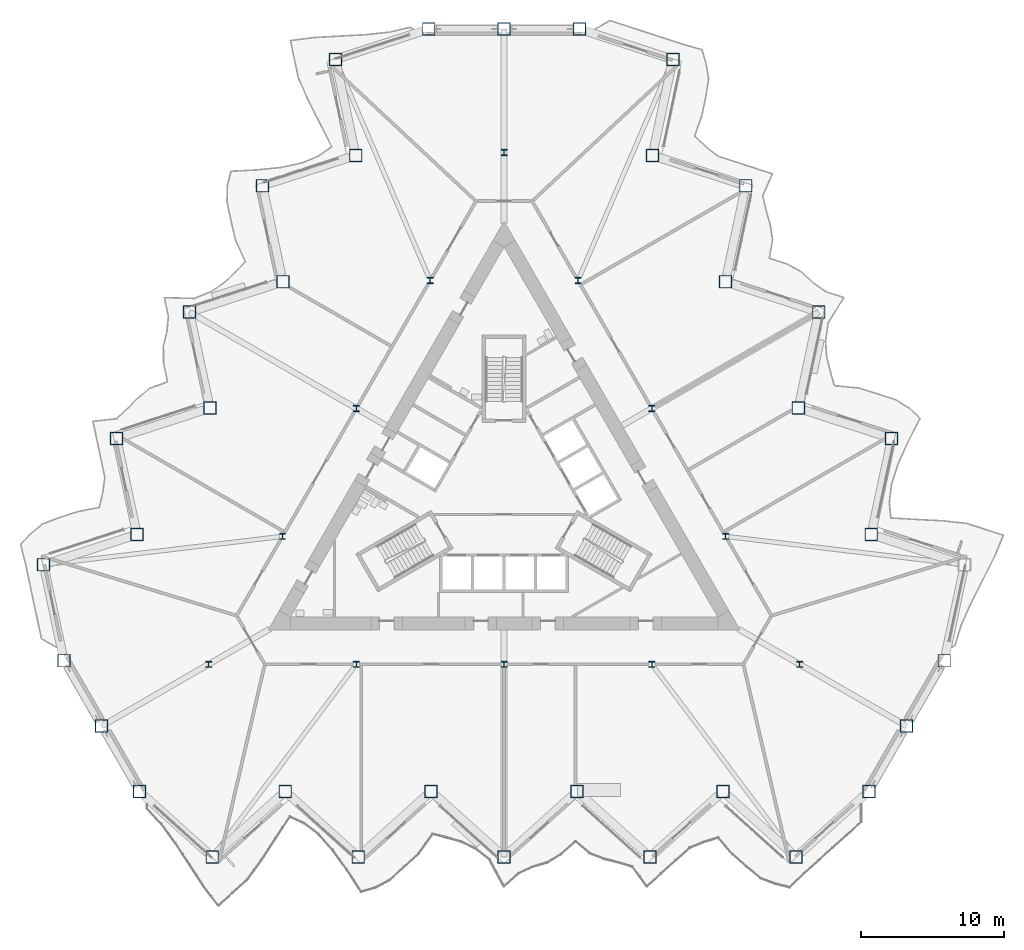
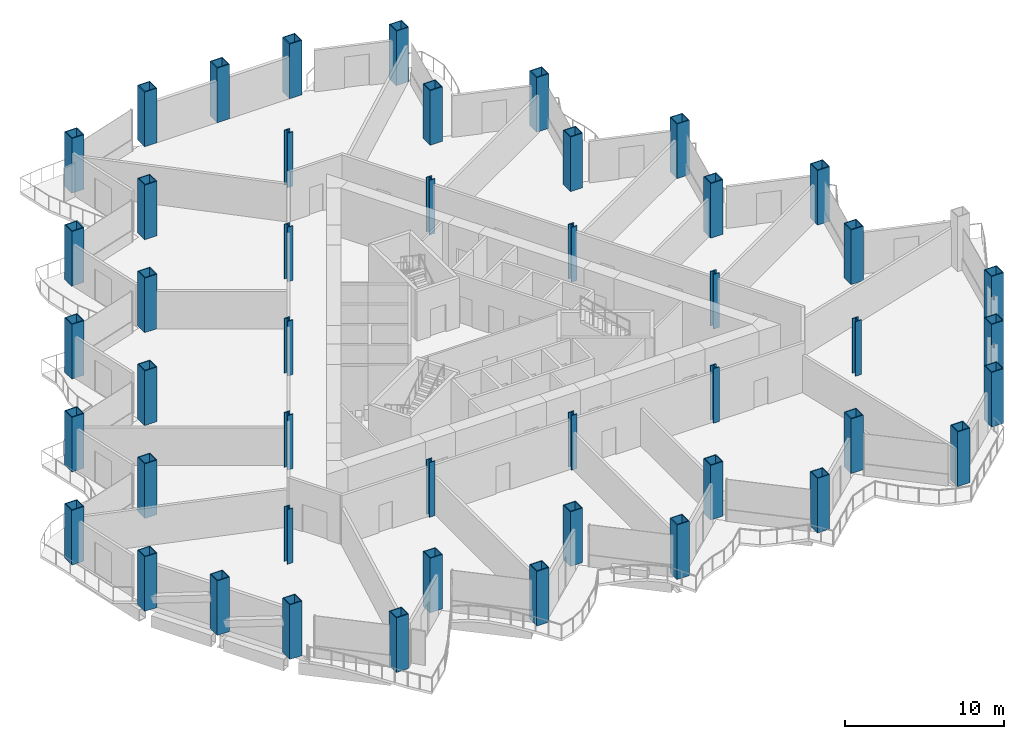
# One storey, part 1 of 21: 47 columns.
"""IFC4 building model written with IfcOpenShell, lengths in metres."""

from ifc_helpers import new_model, si_unit, direction, frame, origin, origin_2d, place, context, subcontext, project, spatial, hollow_rectangle, i_section, extrude, material, material_profile, profile_set, type_object, element, save


model = new_model("IFC4")

# Units and contexts
model_context = context("Model", 3, precision=1e-05, world=origin(), true_north=direction((0.0, 1.0)))
body_context = subcontext(model_context, "Body", "Model", "MODEL_VIEW")
ifc_project = project(units=[si_unit("LENGTHUNIT", "METRE"), si_unit("AREAUNIT", "SQUARE_METRE"), si_unit("VOLUMEUNIT", "CUBIC_METRE"), si_unit("PLANEANGLEUNIT", "RADIAN"), si_unit("MASSUNIT", "GRAM", prefix="KILO")], contexts=[model_context])

# Site, building, storey
site_placement = place(None, origin())
site = spatial("IfcSite", under=ifc_project, at=site_placement, CompositionType="ELEMENT")
building_placement = place(site_placement, origin())
building = spatial("IfcBuilding", under=site, at=building_placement, Name="Cormorant Prow Tower", CompositionType="ELEMENT")
storey_placement = place(building_placement, frame((0.0, 0.0, 99.60009765625)))
storey = spatial("IfcBuildingStorey", under=building, at=storey_placement, Name="L20", CompositionType="ELEMENT", Elevation=99.60009765625)

# Columns
ifc_material_1 = material(Name="Structural steel ASTM A572 Gr 50", Category="steel")
ifc_material_profile_1 = material_profile(ifc_material_1, hollow_rectangle(XDim=0.89990234375, YDim=0.89990234375, WallThickness=0.06005859375, at=origin_2d()), Name="Box 900x900x60")
ifc_profile_set_1 = profile_set([ifc_material_profile_1], Name="Structural steel ASTM A572 Gr 50")
column_type_1 = type_object("IfcColumnType", Name="Perimeter box column 900x900x60", PredefinedType="COLUMN", material=ifc_profile_set_1)
for number, where, z_axis, x_axis, name in (
    (1, (-25.499755859375, -20.80712890625, 0.0), (0.0, 0.0, 1.0), (1.0, 0.0, 0.0), "Perimeter column C3 at S00 L20"),
    (2, (-20.399658203125, -25.399169921875, 0.0), (0.0, 0.0, 1.0), (1.0, 0.0, 0.0), "Perimeter column C3 at S01 L20"),
    (3, (-15.2998046875, -20.80712890625, 0.0), (0.0, 0.0, 1.0), (1.0, 0.0, 0.0), "Perimeter column C3 at S02 L20"),
    (4, (-10.199951171875, -25.399169921875, 0.0), (0.0, 0.0, 1.0), (1.0, 0.0, 0.0), "Perimeter column C3 at S03 L20"),
    (5, (-5.099853515625, -20.80712890625, 0.0), (0.0, 0.0, 1.0), (1.0, 0.0, 0.0), "Perimeter column C3 at S04 L20"),
    (6, (0.0, -25.399169921875, 0.0), (0.0, 0.0, 1.0), (1.0, 0.0, 0.0), "Perimeter column C3 at S05 L20"),
    (7, (5.099853515625, -20.80712890625, 0.0), (0.0, 0.0, 1.0), (1.0, 0.0, 0.0), "Perimeter column C3 at S06 L20"),
    (8, (10.199951171875, -25.399169921875, 0.0), (0.0, 0.0, 1.0), (1.0, 0.0, 0.0), "Perimeter column C3 at S07 L20"),
    (9, (15.2998046875, -20.80712890625, 0.0), (0.0, 0.0, 1.0), (1.0, 0.0, 0.0), "Perimeter column C3 at S08 L20"),
    (10, (20.399658203125, -25.399169921875, 0.0), (0.0, 0.0, 1.0), (1.0, 0.0, 0.0), "Perimeter column C3 at S09 L20"),
    (11, (25.499755859375, -20.80712890625, 0.0), (0.0, 0.0, 1.0), (1.0, 0.0, 0.0), "Perimeter column C3 at ESE00 L20"),
    (12, (28.134521484375, -16.243408203125, 0.0), (0.0, 0.0, 1.0), (1.0, 0.0, 0.0), "Perimeter column C3 at ESE01 L20"),
    (13, (30.769287109375, -11.679931640625, 0.0), (0.0, 0.0, 1.0), (1.0, 0.0, 0.0), "Perimeter column C3 at ENE00 L20"),
    (14, (25.66943359375, -2.846435546875, 0.0), (0.0, 0.0, 1.0), (1.0, 0.0, 0.0), "Perimeter column C3 at ENE02 L20"),
    (15, (27.09619140625, 3.8662109375, 0.0), (0.0, 0.0, 1.0), (1.0, 0.0, 0.0), "Perimeter column C3 at ENE03 L20"),
    (16, (20.569580078125, 5.98681640625, 0.0), (0.0, 0.0, 1.0), (1.0, 0.0, 0.0), "Perimeter column C3 at ENE04 L20"),
    (17, (21.996337890625, 12.699462890625, 0.0), (0.0, 0.0, 1.0), (1.0, 0.0, 0.0), "Perimeter column C3 at ENE05 L20"),
    (18, (15.469482421875, 14.8203125, 0.0), (0.0, 0.0, 1.0), (1.0, 0.0, 0.0), "Perimeter column C3 at ENE06 L20"),
    (19, (16.896240234375, 21.532958984375, 0.0), (0.0, 0.0, 1.0), (1.0, 0.0, 0.0), "Perimeter column C3 at ENE07 L20"),
    (20, (10.36962890625, 23.653564453125, 0.0), (0.0, 0.0, 1.0), (1.0, 0.0, 0.0), "Perimeter column C3 at ENE08 L20"),
    (21, (11.79638671875, 30.3662109375, 0.0), (0.0, 0.0, 1.0), (1.0, 0.0, 0.0), "Perimeter column C3 at ENE09 L20"),
    (22, (5.269775390625, 32.487060546875, 0.0), (0.0, 0.0, 1.0), (1.0, 0.0, 0.0), "Perimeter column C3 at N00 L20"),
    (23, (0.0, 32.487060546875, 0.0), (0.0, 0.0, 1.0), (1.0, 0.0, 0.0), "Perimeter column C3 at N01 L20"),
    (24, (-5.269775390625, 32.487060546875, 0.0), (0.0, 0.0, 1.0), (1.0, 0.0, 0.0), "Perimeter column C3 at WNW00 L20"),
    (25, (-11.79638671875, 30.3662109375, 0.0), (0.0, 0.0, 1.0), (1.0, 0.0, 0.0), "Perimeter column C3 at WNW01 L20"),
    (26, (-10.36962890625, 23.653564453125, 0.0), (0.0, 0.0, 1.0), (1.0, 0.0, 0.0), "Perimeter column C3 at WNW02 L20"),
    (27, (-16.896240234375, 21.532958984375, 0.0), (0.0, 0.0, 1.0), (1.0, 0.0, 0.0), "Perimeter column C3 at WNW03 L20"),
    (28, (-15.469482421875, 14.8203125, 0.0), (0.0, 0.0, 1.0), (1.0, 0.0, 0.0), "Perimeter column C3 at WNW04 L20"),
    (29, (-21.996337890625, 12.699462890625, 0.0), (0.0, 0.0, 1.0), (1.0, 0.0, 0.0), "Perimeter column C3 at WNW05 L20"),
    (30, (-20.569580078125, 5.98681640625, 0.0), (0.0, 0.0, 1.0), (1.0, 0.0, 0.0), "Perimeter column C3 at WNW06 L20"),
    (31, (-27.09619140625, 3.8662109375, 0.0), (0.0, 0.0, 1.0), (1.0, 0.0, 0.0), "Perimeter column C3 at WNW07 L20"),
    (32, (-25.66943359375, -2.846435546875, 0.0), (0.0, 0.0, 1.0), (1.0, 0.0, 0.0), "Perimeter column C3 at WNW08 L20"),
    (33, (-32.1962890625, -4.967041015625, 0.0), (0.0, 0.0, 1.0), (1.0, 0.0, 0.0), "Perimeter column C3 at WNW09 L20"),
    (34, (-30.769287109375, -11.679931640625, 0.0), (0.0, 0.0, 1.0), (1.0, 0.0, 0.0), "Perimeter column C3 at WSW00 L20"),
    (35, (-28.134521484375, -16.243408203125, 0.0), (0.0, 0.0, 1.0), (1.0, 0.0, 0.0), "Perimeter column C3 at WSW01 L20"),
):
    element("IfcColumn", number, at=place(storey_placement, frame(where, z_axis=z_axis, x_axis=x_axis)), inside=storey, type_object=column_type_1, Name=name, PredefinedType="COLUMN", context=body_context, shape_type="SweptSolid", body=[
        extrude(hollow_rectangle(XDim=0.89990234375, YDim=0.89990234375, WallThickness=0.06005859375, at=origin_2d()), origin(), (0.0, 0.0, 1.0), 4.199951171875),
    ])
ifc_material_2 = material(Name="Structural steel ASTM A992 Gr 50", Category="steel")
ifc_material_profile_2 = material_profile(ifc_material_2, i_section(OverallWidth=0.412109375, OverallDepth=0.434814453125, WebThickness=0.035888671875, FlangeThickness=0.057373046875, at=origin_2d()), Name="W14x311")
ifc_profile_set_2 = profile_set([ifc_material_profile_2], Name="Structural steel ASTM A992 Gr 50")
column_type_2 = type_object("IfcColumnType", Name="Ring column W14x311", PredefinedType="COLUMN", material=ifc_profile_set_2)
for number, where, z_axis, x_axis, name in (
    (36, (0.0, 23.8525390625, 0.0), (0.0, 0.0, 1.0), (1.0, 0.0, 0.0), "Ring column 1 L20"),
    (37, (-5.164306640625, 14.907958984375, 0.0), (0.0, 0.0, 1.0), (1.0, 0.0, 0.0), "Ring column 2 L20"),
    (38, (-10.328369140625, 5.963134765625, 0.0), (0.0, 0.0, 1.0), (1.0, 0.0, 0.0), "Ring column 3 L20"),
    (39, (-15.49267578125, -2.981689453125, 0.0), (0.0, 0.0, 1.0), (1.0, 0.0, 0.0), "Ring column 4 L20"),
    (40, (-20.656982421875, -11.92626953125, 0.0), (0.0, 0.0, 1.0), (1.0, 0.0, 0.0), "Ring column 5 L20"),
    (41, (-10.328369140625, -11.92626953125, 0.0), (0.0, 0.0, 1.0), (1.0, 0.0, 0.0), "Ring column 6 L20"),
    (42, (0.0, -11.92626953125, 0.0), (0.0, 0.0, 1.0), (1.0, 0.0, 0.0), "Ring column 7 L20"),
    (43, (10.328369140625, -11.92626953125, 0.0), (0.0, 0.0, 1.0), (1.0, 0.0, 0.0), "Ring column 8 L20"),
    (44, (20.656982421875, -11.92626953125, 0.0), (0.0, 0.0, 1.0), (1.0, 0.0, 0.0), "Ring column 9 L20"),
    (45, (15.49267578125, -2.981689453125, 0.0), (0.0, 0.0, 1.0), (1.0, 0.0, 0.0), "Ring column 10 L20"),
    (46, (10.328369140625, 5.963134765625, 0.0), (0.0, 0.0, 1.0), (1.0, 0.0, 0.0), "Ring column 11 L20"),
    (47, (5.164306640625, 14.907958984375, 0.0), (0.0, 0.0, 1.0), (1.0, 0.0, 0.0), "Ring column 12 L20"),
):
    element("IfcColumn", number, at=place(storey_placement, frame(where, z_axis=z_axis, x_axis=x_axis)), inside=storey, type_object=column_type_2, Name=name, PredefinedType="COLUMN", context=body_context, shape_type="SweptSolid", body=[
        extrude(i_section(OverallWidth=0.412109375, OverallDepth=0.434814453125, WebThickness=0.035888671875, FlangeThickness=0.057373046875, at=origin_2d()), origin(), (0.0, 0.0, 1.0), 4.199951171875),
    ])

save(model, "model.ifc")
